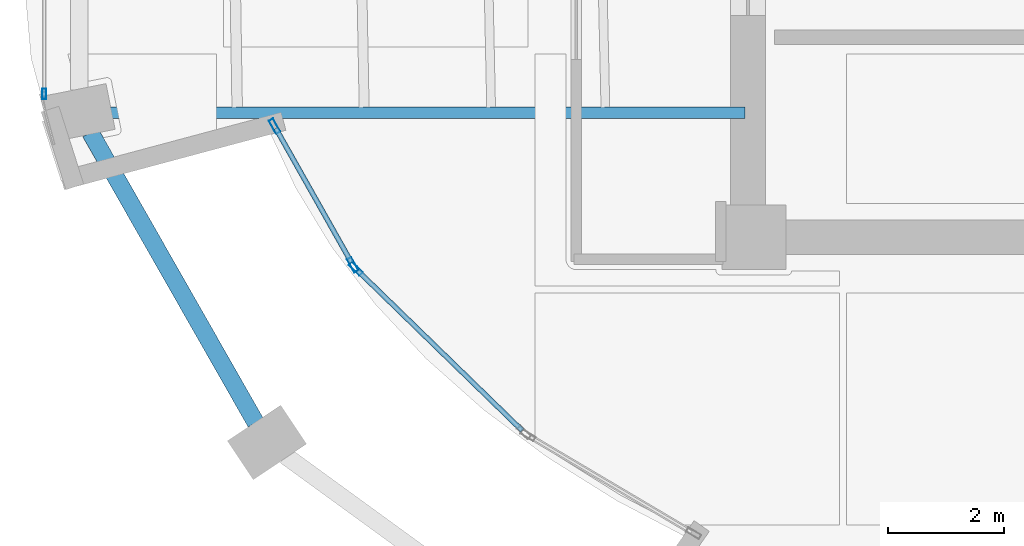
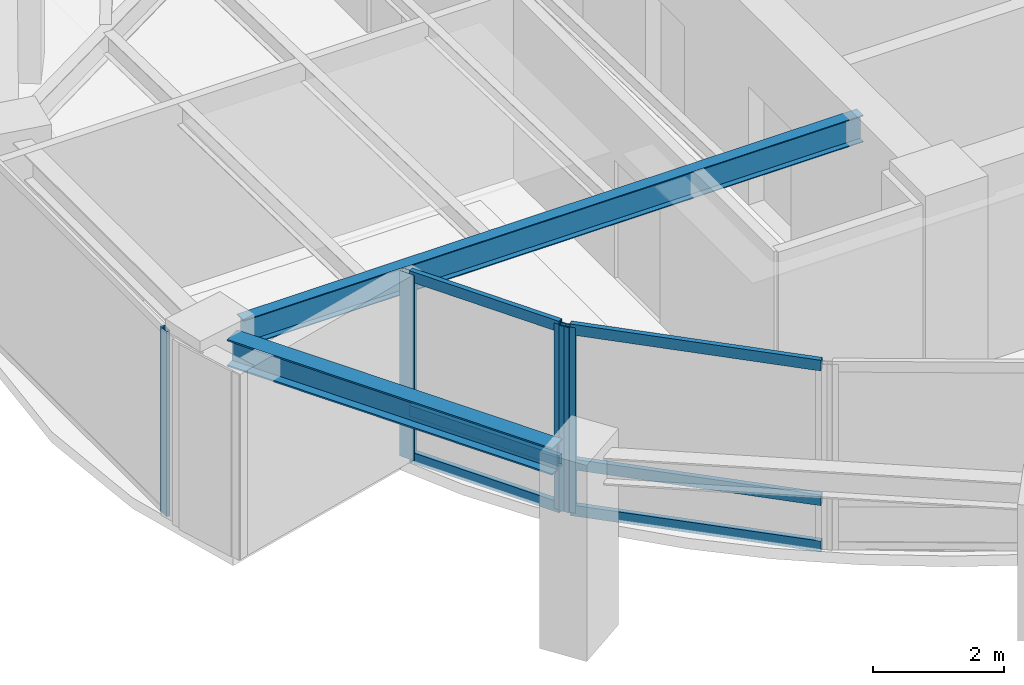
# One storey, part 3 of 21: 10 members, 2 beams, 3 elements without a shape of their own.
"""IFC4 building model written with IfcOpenShell, lengths in metres."""

from ifc_helpers import new_model, si_unit, direction, frame, origin, origin_2d, place, context, subcontext, project, spatial, hollow_rectangle, i_section, extrude, material, layer, layer_set, material_profile, profile_set, type_object, element, aggregate, save


model = new_model("IFC4")

# Units and contexts
model_context = context("Model", 3, precision=1e-05, world=origin(), true_north=direction((0.0, 1.0)))
body_context = subcontext(model_context, "Body", "Model", "MODEL_VIEW")
ifc_project = project(units=[si_unit("LENGTHUNIT", "METRE"), si_unit("AREAUNIT", "SQUARE_METRE"), si_unit("VOLUMEUNIT", "CUBIC_METRE"), si_unit("PLANEANGLEUNIT", "RADIAN"), si_unit("MASSUNIT", "GRAM", prefix="KILO")], contexts=[model_context])

# Site, building, storey
site_placement = place(None, origin())
site = spatial("IfcSite", under=ifc_project, at=site_placement, CompositionType="ELEMENT")
building_placement = place(site_placement, origin())
building = spatial("IfcBuilding", under=site, at=building_placement, Name="Lazwardi Medical Tower", CompositionType="ELEMENT")
storey_placement = place(building_placement, frame((0.0, 0.0, 220.367919921875)))
storey = spatial("IfcBuildingStorey", under=building, at=storey_placement, Name="L57", CompositionType="ELEMENT", Elevation=220.367919921875)

# Beams
ifc_material_1 = material(Name="Steel S355", Category="steel")
ifc_material_profile_1 = material_profile(ifc_material_1, i_section(OverallWidth=0.300048828125, OverallDepth=0.5, WebThickness=0.014404296875, FlangeThickness=0.028076171875, at=origin_2d()), Name="HEB 500")
ifc_profile_set_1 = profile_set([ifc_material_profile_1], Name="Steel S355")
beam_type_1 = type_object("IfcBeamType", Name="BM-RB-Z4", PredefinedType="BEAM", material=ifc_profile_set_1)
beam_1_placement = place(storey_placement, frame((15.008056640625, 22.1982421875, 3.197998046875), z_axis=(0.495125273299, -0.868821594886, 0.0), x_axis=(0.868821594886, 0.495125273299, 0.0)))
element("IfcBeam", 1, at=beam_1_placement, inside=storey, type_object=beam_type_1, Name="Ring beam RB-05 B13 L57", PredefinedType="BEAM", context=body_context, shape_type="SweptSolid", body=[
    extrude(i_section(OverallWidth=0.300048828125, OverallDepth=0.5, WebThickness=0.014404296875, FlangeThickness=0.028076171875, at=origin_2d()), origin(), (0.0, 0.0, 1.0), 5.734130859375),
])
ifc_material_profile_2 = material_profile(ifc_material_1, i_section(OverallWidth=0.199951171875, OverallDepth=0.5, WebThickness=0.01025390625, FlangeThickness=0.01611328125, at=origin_2d()), Name="IPE 500")
ifc_profile_set_2 = profile_set([ifc_material_profile_2], Name="Steel S355")
beam_type_2 = type_object("IfcBeamType", Name="BM-RG-W3", PredefinedType="BEAM", material=ifc_profile_set_2)
beam_2_placement = place(storey_placement, frame((15.35009765625, 22.537109375, 3.197998046875), z_axis=(1.0, 0.0, 0.0), x_axis=(0.0, 1.0, 0.0)))
element("IfcBeam", 2, at=beam_2_placement, inside=storey, type_object=beam_type_2, Name="Radial girder RG-04 R13 L57", PredefinedType="BEAM", context=body_context, shape_type="SweptSolid", body=[
    extrude(i_section(OverallWidth=0.199951171875, OverallDepth=0.5, WebThickness=0.01025390625, FlangeThickness=0.01611328125, at=origin_2d()), origin(), (0.0, 0.0, 1.0), 10.89990234375),
])

# Curtain wall, members
ifc_material_2 = material(Name="Anodised bronze aluminium and solar control glazing", Category="aluminium")
ifc_layer_1 = layer(ifc_material_2, 0.239990234375)
ifc_layer_set_1 = layer_set([ifc_layer_1], Name="Anodised bronze aluminium and solar control glazing")
curtain_wall_type_1 = type_object("IfcCurtainWallType", Name="CW-SYS-05", PredefinedType="NOTDEFINED", material=ifc_layer_set_1)
curtain_wall_1_placement = place(storey_placement, origin())
curtain_wall_1 = element("IfcCurtainWall", 3, at=curtain_wall_1_placement, inside=storey, type_object=curtain_wall_type_1, Name="L57 Unitised bronze curtain wall CW-05", PredefinedType="NOTDEFINED")
ifc_material_3 = material(Name="Anodised bronze aluminium", Category="aluminium")
ifc_material_profile_3 = material_profile(ifc_material_3, hollow_rectangle(XDim=0.0849609375, YDim=0.260009765625, WallThickness=0.0048828125, at=origin_2d()), Name="ALU-MULLION 260x85x5")
ifc_profile_set_3 = profile_set([ifc_material_profile_3], Name="Anodised bronze aluminium")
member_type_1 = type_object("IfcMemberType", Name="CW-MUL-02", PredefinedType="MULLION", material=ifc_profile_set_3)
member_1_placement = place(storey_placement, frame((18.170654296875, 22.30712890625, 0.0), z_axis=(0.0, 0.0, 1.0), x_axis=(0.871060591765, 0.491175574998, 0.0)))
member_1 = element("IfcMember", 4, at=member_1_placement, type_object=member_type_1, Name="CW-05 mullion 1", PredefinedType="MULLION", context=body_context, shape_type="SweptSolid", body=[
    extrude(hollow_rectangle(XDim=0.0849609375, YDim=0.260009765625, WallThickness=0.0048828125, at=origin_2d()), origin(), (0.0, 0.0, 1.0), 3.447998046875),
])
member_2_placement = place(storey_placement, frame((19.513427734375, 19.92578125, 0.0), z_axis=(0.0, 0.0, 1.0), x_axis=(0.871060591765, 0.491175574998, 0.0)))
member_2 = element("IfcMember", 5, at=member_2_placement, type_object=member_type_1, Name="CW-05 mullion 2", PredefinedType="MULLION", context=body_context, shape_type="SweptSolid", body=[
    extrude(hollow_rectangle(XDim=0.0849609375, YDim=0.260009765625, WallThickness=0.0048828125, at=origin_2d()), origin(), (0.0, 0.0, 1.0), 3.447998046875),
])

# Curtain wall, member
curtain_wall_2_placement = place(storey_placement, origin())
curtain_wall_2 = element("IfcCurtainWall", 6, at=curtain_wall_2_placement, inside=storey, type_object=curtain_wall_type_1, Name="L57 Unitised bronze curtain wall CW-05", PredefinedType="NOTDEFINED")
member_3_placement = place(storey_placement, frame((19.564697265625, 19.859130859375, 0.0), z_axis=(0.0, 0.0, 1.0), x_axis=(0.697060347158, 0.717012463225, 0.0)))
member_3 = element("IfcMember", 7, at=member_3_placement, type_object=member_type_1, Name="CW-05 mullion 1", PredefinedType="MULLION", context=body_context, shape_type="SweptSolid", body=[
    extrude(hollow_rectangle(XDim=0.0849609375, YDim=0.260009765625, WallThickness=0.0048828125, at=origin_2d()), origin(), (0.0, 0.0, 1.0), 3.447998046875),
])

ifc_layer_2 = layer(ifc_material_2, 0.18994140625)
ifc_layer_set_2 = layer_set([ifc_layer_2], Name="Anodised bronze aluminium and solar control glazing")
curtain_wall_type_2 = type_object("IfcCurtainWallType", Name="CW-SYS-04", PredefinedType="NOTDEFINED", material=ifc_layer_set_2)
curtain_wall_3_placement = place(storey_placement, origin())
curtain_wall_3 = element("IfcCurtainWall", 8, at=curtain_wall_3_placement, inside=storey, type_object=curtain_wall_type_2, Name="L57 Unitised bronze curtain wall CW-04", PredefinedType="NOTDEFINED")
ifc_material_profile_4 = material_profile(ifc_material_3, hollow_rectangle(XDim=0.06494140625, YDim=0.179931640625, WallThickness=0.00390625, at=origin_2d()), Name="ALU-MULLION 180x65x4")
ifc_profile_set_4 = profile_set([ifc_material_profile_4], Name="Anodised bronze aluminium")
member_type_2 = type_object("IfcMemberType", Name="CW-MUL-03", PredefinedType="MULLION", material=ifc_profile_set_4)
member_4_placement = place(storey_placement, frame((14.2158203125, 22.859619140625, 0.0), z_axis=(0.0, 0.0, 1.0), x_axis=(1.0, 0.0, 0.0)))
member_4 = element("IfcMember", 9, at=member_4_placement, type_object=member_type_2, Name="CW-04 mullion 2", PredefinedType="MULLION", context=body_context, shape_type="SweptSolid", body=[
    extrude(hollow_rectangle(XDim=0.06494140625, YDim=0.179931640625, WallThickness=0.00390625, at=origin_2d()), origin(), (0.0, 0.0, 1.0), 3.447998046875),
])
aggregate(curtain_wall_3, [member_4])

# Member
ifc_material_profile_5 = material_profile(ifc_material_3, hollow_rectangle(XDim=0.0849609375, YDim=0.199951171875, WallThickness=0.00439453125, at=origin_2d()), Name="ALU-TRANSOM 200x85x4.5")
ifc_profile_set_5 = profile_set([ifc_material_profile_5], Name="Anodised bronze aluminium")
member_type_3 = type_object("IfcMemberType", Name="CW-TRN-02", PredefinedType="USERDEFINED", material=ifc_profile_set_5)
member_5_placement = place(storey_placement, frame((18.19140625, 22.27001953125, 0.04248046875), z_axis=(0.491197470576, -0.871048244875, 0.0), x_axis=(0.871048244875, 0.491197470576, 0.0)))
member_5 = element("IfcMember", 10, at=member_5_placement, type_object=member_type_3, Name="CW-05 transom 1.1", ObjectType="TRANSOM", PredefinedType="USERDEFINED", context=body_context, shape_type="SweptSolid", body=[
    extrude(hollow_rectangle(XDim=0.0849609375, YDim=0.199951171875, WallThickness=0.00439453125, at=origin_2d()), origin(), (0.0, 0.0, 1.0), 2.648681640625),
])

member_6_placement = place(storey_placement, frame((18.19140625, 22.27001953125, 0.900146484375), z_axis=(0.491197470576, -0.871048244875, 0.0), x_axis=(0.871048244875, 0.491197470576, 0.0)))
member_6 = element("IfcMember", 11, at=member_6_placement, type_object=member_type_3, Name="CW-05 transom 1.2", ObjectType="TRANSOM", PredefinedType="USERDEFINED", context=body_context, shape_type="SweptSolid", body=[
    extrude(hollow_rectangle(XDim=0.0849609375, YDim=0.199951171875, WallThickness=0.00439453125, at=origin_2d()), origin(), (0.0, 0.0, 1.0), 2.648681640625),
])

member_7_placement = place(storey_placement, frame((18.19140625, 22.27001953125, 3.405517578125), z_axis=(0.491197470576, -0.871048244875, 0.0), x_axis=(0.871048244875, 0.491197470576, 0.0)))
member_7 = element("IfcMember", 12, at=member_7_placement, type_object=member_type_3, Name="CW-05 transom 1.3", ObjectType="TRANSOM", PredefinedType="USERDEFINED", context=body_context, shape_type="SweptSolid", body=[
    extrude(hollow_rectangle(XDim=0.0849609375, YDim=0.199951171875, WallThickness=0.00439453125, at=origin_2d()), origin(), (0.0, 0.0, 1.0), 2.648681640625),
])

aggregate(curtain_wall_1, [member_1, member_2, member_5, member_6, member_7])

member_8_placement = place(storey_placement, frame((19.59521484375, 19.82958984375, 0.04248046875), z_axis=(0.717000933529, -0.697072206675, 0.0), x_axis=(0.697072206675, 0.717000933529, 0.0)))
member_8 = element("IfcMember", 13, at=member_8_placement, type_object=member_type_3, Name="CW-05 transom 1.1", ObjectType="TRANSOM", PredefinedType="USERDEFINED", context=body_context, shape_type="SweptSolid", body=[
    extrude(hollow_rectangle(XDim=0.0849609375, YDim=0.199951171875, WallThickness=0.00439453125, at=origin_2d()), origin(), (0.0, 0.0, 1.0), 3.94482421875),
])

member_9_placement = place(storey_placement, frame((19.59521484375, 19.82958984375, 0.900146484375), z_axis=(0.717000933529, -0.697072206675, 0.0), x_axis=(0.697072206675, 0.717000933529, 0.0)))
member_9 = element("IfcMember", 14, at=member_9_placement, type_object=member_type_3, Name="CW-05 transom 1.2", ObjectType="TRANSOM", PredefinedType="USERDEFINED", context=body_context, shape_type="SweptSolid", body=[
    extrude(hollow_rectangle(XDim=0.0849609375, YDim=0.199951171875, WallThickness=0.00439453125, at=origin_2d()), origin(), (0.0, 0.0, 1.0), 3.94482421875),
])

member_10_placement = place(storey_placement, frame((19.59521484375, 19.82958984375, 3.405517578125), z_axis=(0.717000933529, -0.697072206675, 0.0), x_axis=(0.697072206675, 0.717000933529, 0.0)))
member_10 = element("IfcMember", 15, at=member_10_placement, type_object=member_type_3, Name="CW-05 transom 1.3", ObjectType="TRANSOM", PredefinedType="USERDEFINED", context=body_context, shape_type="SweptSolid", body=[
    extrude(hollow_rectangle(XDim=0.0849609375, YDim=0.199951171875, WallThickness=0.00439453125, at=origin_2d()), origin(), (0.0, 0.0, 1.0), 3.94482421875),
])

aggregate(curtain_wall_2, [member_3, member_8, member_9, member_10])

save(model, "model.ifc")
